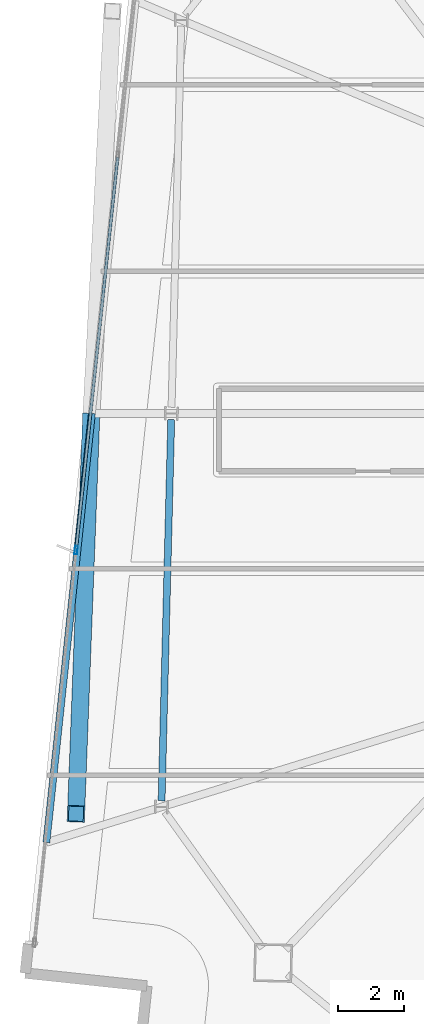
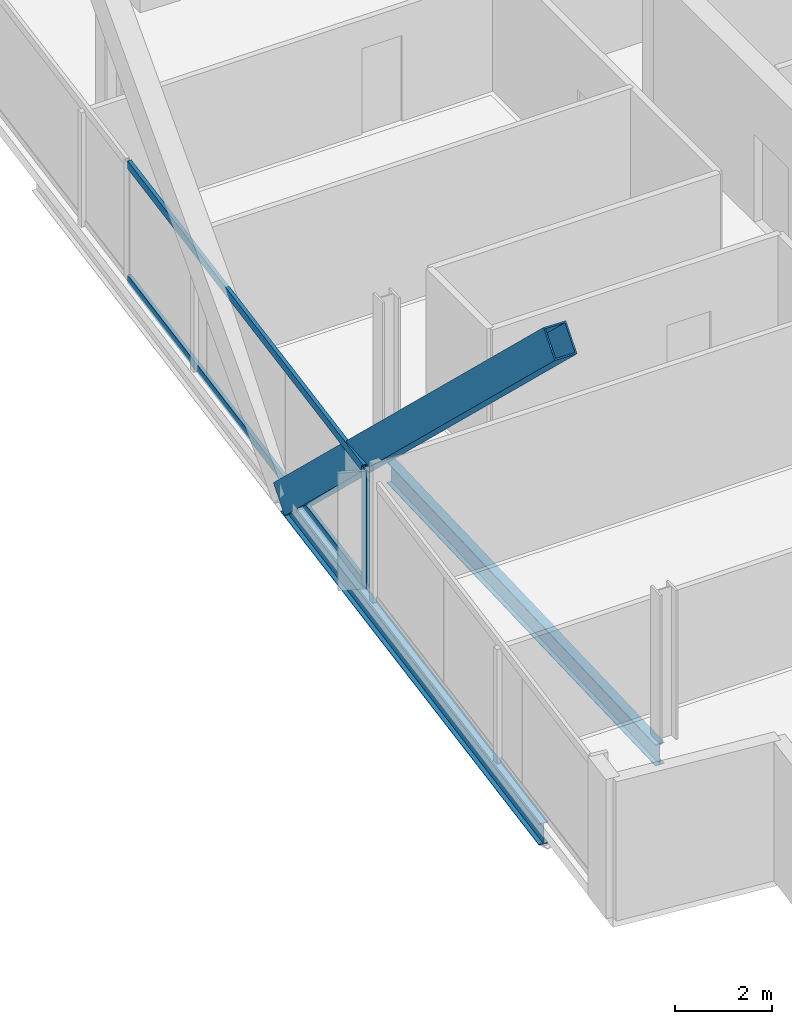
# One storey, part 5 of 24: 4 members, 2 beams, 1 element without a shape of its own.
"""IFC4 building model written with IfcOpenShell, lengths in metres."""

import ifcopenshell
import ifcopenshell.guid

model = None  # the IFC model being written
_history = None  # IfcOwnerHistory: only IFC2X3 demands one
_inside = {}  # id of a spatial element -> (the spatial element, [elements in it])
_under = {}  # id of a project, library or spatial element -> (it, [spatial elements below it])
_declared = {}  # id of a project -> (the project, [libraries it declares])
_typed = {}  # id of a type object -> (the type object, [elements of that type])
_made_of = {}  # id of a material, layer set ... -> (it, [elements and type objects made of it])


def new_model(schema):
    """Start an empty IFC model of exactly this schema.

    Asked for "IFC4X3", IfcOpenShell would pick the latest addendum, in which some entities
    have other attributes; the version numbers below select the first issue.
    IFC2X3 requires an IfcOwnerHistory on every rooted entity: one is made here for all.
    """
    global model, _history
    if schema == "IFC4X3":
        model = ifcopenshell.file(schema_version=(4, 3, 0, 0))
    else:
        model = ifcopenshell.file(schema=schema)
    _inside.clear()
    _under.clear()
    _declared.clear()
    _typed.clear()
    _made_of.clear()
    _history = None
    if model.schema == "IFC2X3":
        org = make("IfcOrganization", Name="unknown")
        user = make(
            "IfcPersonAndOrganization",
            ThePerson=make("IfcPerson", FamilyName="unknown"),
            TheOrganization=org,
        )
        app = make(
            "IfcApplication",
            ApplicationDeveloper=org,
            Version="unknown",
            ApplicationFullName="unknown",
            ApplicationIdentifier="unknown",
        )
        _history = make(
            "IfcOwnerHistory",
            OwningUser=user,
            OwningApplication=app,
            ChangeAction="ADDED",
            CreationDate=0,
        )
    return model


def make(cls, **values):
    """One entity of the class cls with the attributes given. An attribute that is None is left unset."""
    return model.create_entity(
        cls, **{name: value for name, value in values.items() if value is not None}
    )


def rooted(cls, **values):
    """An entity with a GlobalId (a new one), such as an element, a storey or a relation."""
    return make(cls, GlobalId=ifcopenshell.guid.new(), OwnerHistory=_history, **values)


def si_unit(unit_type, name, prefix=None):
    """IfcSIUnit, for example si_unit("LENGTHUNIT", "METRE", prefix="MILLI")."""
    return make("IfcSIUnit", UnitType=unit_type, Prefix=prefix, Name=name)


def assignment(units):
    """IfcUnitAssignment: the units of a project."""
    return None if units is None else make("IfcUnitAssignment", Units=units)


def point(xyz):
    """IfcCartesianPoint."""
    return None if xyz is None else make("IfcCartesianPoint", Coordinates=xyz)


def direction(xyz):
    """IfcDirection."""
    return None if xyz is None else make("IfcDirection", DirectionRatios=xyz)


def frame(location, z_axis=None, x_axis=None):
    """IfcAxis2Placement3D, a coordinate frame: its origin and axes. An axis left out is left unset."""
    return make(
        "IfcAxis2Placement3D",
        Location=point(location),
        Axis=direction(z_axis),
        RefDirection=direction(x_axis),
    )


def frame_2d(location, x_axis=None):
    """IfcAxis2Placement2D, a coordinate frame in the plane: its origin and x axis."""
    return make(
        "IfcAxis2Placement2D", Location=point(location), RefDirection=direction(x_axis)
    )


def origin():
    """The frame at (0, 0, 0) with its axes left unset."""
    return frame((0.0, 0.0, 0.0))


def origin_2d():
    """The frame at (0, 0) in the plane with its x axis left unset."""
    return frame_2d((0.0, 0.0))


def place(relative_to, where):
    """IfcLocalPlacement: puts the frame where relative to a parent placement (None: the world)."""
    return make(
        "IfcLocalPlacement", PlacementRelTo=relative_to, RelativePlacement=where
    )


def context(
    kind, dimensions, precision=None, world=None, true_north=None, identifier=None
):
    """IfcGeometricRepresentationContext, for example the 3D "Model" context."""
    return make(
        "IfcGeometricRepresentationContext",
        ContextIdentifier=identifier,
        ContextType=kind,
        CoordinateSpaceDimension=dimensions,
        Precision=precision,
        WorldCoordinateSystem=world,
        TrueNorth=true_north,
    )


def subcontext(parent, identifier, kind, view, scale=None):
    """IfcGeometricRepresentationSubContext, for example "Body" below "Model"."""
    return make(
        "IfcGeometricRepresentationSubContext",
        ContextIdentifier=identifier,
        ContextType=kind,
        ParentContext=parent,
        TargetScale=scale,
        TargetView=view,
    )


def project(units=None, contexts=None):
    """IfcProject with its units and contexts."""
    return rooted(
        "IfcProject",
        Name="project",
        RepresentationContexts=contexts,
        UnitsInContext=assignment(units),
    )


def spatial(cls, under=None, at=None, **own):
    """A site, building, storey or space (cls), placed at a placement, below another one or the project."""
    s = rooted(cls, ObjectPlacement=at, **own)
    if under is not None:
        _under.setdefault(under.id(), (under, []))[1].append(s)
    return s


def profile(cls, at=None, kind="AREA", **sizes):
    """A parametric profile (cls). Its sizes go by their IFC names, for example OverallWidth=200.0."""
    return make(cls, ProfileType=kind, Position=at, **sizes)


def hollow_rectangle(**sizes):
    """IfcRectangleHollowProfileDef."""
    return profile("IfcRectangleHollowProfileDef", **sizes)


def i_section(**sizes):
    """IfcIShapeProfileDef."""
    return profile("IfcIShapeProfileDef", **sizes)


def extrude(swept, where, along, depth):
    """IfcExtrudedAreaSolid: the profile swept, set in the frame where, extruded along a direction by depth."""
    return make(
        "IfcExtrudedAreaSolid",
        SweptArea=swept,
        Position=where,
        ExtrudedDirection=direction(along),
        Depth=depth,
    )


def shape(context_of_items, identifier, shape_type, items):
    """IfcShapeRepresentation: the items that make up one representation, for example the "Body"."""
    return make(
        "IfcShapeRepresentation",
        ContextOfItems=context_of_items,
        RepresentationIdentifier=identifier,
        RepresentationType=shape_type,
        Items=items,
    )


def material(Name=None, Category=None):
    """IfcMaterial."""
    return make("IfcMaterial", Name=Name, Category=Category)


def material_profile(
    of_material, cross_section, Name=None, Category=None, Priority=None
):
    """IfcMaterialProfile: a cross section and its material."""
    return make(
        "IfcMaterialProfile",
        Name=Name,
        Material=of_material,
        Profile=cross_section,
        Priority=Priority,
        Category=Category,
    )


def profile_set(profiles, Name=None, composite=None):
    """IfcMaterialProfileSet."""
    return make(
        "IfcMaterialProfileSet",
        Name=Name,
        MaterialProfiles=profiles,
        CompositeProfile=composite,
    )


def made_of(thing, what):
    """Note that an element or type object is made of a material, layer set ...; save() writes the relation."""
    if what is not None:
        _made_of.setdefault(what.id(), (what, []))[1].append(thing)
    return thing


def type_object(cls, material=None, **own):
    """A type object (cls), such as IfcWallType, which elements share."""
    return made_of(rooted(cls, **own), material)


def element(
    cls,
    number,
    at=None,
    inside=None,
    cuts=None,
    type_object=None,
    material=None,
    context=None,
    identifier="Body",
    shape_type=None,
    held_by="IfcProductDefinitionShape",
    body=None,
    shapes=None,
    **own,
):
    """One element of the class cls, such as IfcWall. Its Tag is "e" and its number.

    at: its placement. inside: the storey or other place that contains it. cuts: it is an
    opening in that element (IfcRelVoidsElement). A single representation is given by context,
    identifier, shape_type and body (its items); several are given by shapes. held_by: the class
    of the entity that holds the representations. save() writes the other relations.
    """
    e = rooted(cls, Tag="e%d" % number, ObjectPlacement=at, **own)
    if body is not None:
        shapes = [shape(context, identifier, shape_type, body)]
    if shapes is not None:
        e.Representation = make(held_by, Representations=shapes)
    if inside is not None:
        _inside.setdefault(inside.id(), (inside, []))[1].append(e)
    if cuts is not None:
        rooted(
            "IfcRelVoidsElement", RelatingBuildingElement=cuts, RelatedOpeningElement=e
        )
    if type_object is not None:
        _typed.setdefault(type_object.id(), (type_object, []))[1].append(e)
    return made_of(e, material)


def aggregate(whole, parts):
    """IfcRelAggregates: a whole, such as a stair, and the parts it consists of."""
    return rooted("IfcRelAggregates", RelatingObject=whole, RelatedObjects=parts)


def save(model, path):
    """Write the relations noted so far, then the file.

    IfcRelAggregates (storeys below a building ...), IfcRelContainedInSpatialStructure (elements
    in a storey), IfcRelDefinesByType, IfcRelAssociatesMaterial and IfcRelDeclares: one each for
    every whole, place, type object, material and project.
    """
    for whole, parts in _under.values():
        aggregate(whole, parts)
    for where, things in _inside.values():
        rooted(
            "IfcRelContainedInSpatialStructure",
            RelatedElements=things,
            RelatingStructure=where,
        )
    for kind, things in _typed.values():
        rooted("IfcRelDefinesByType", RelatedObjects=things, RelatingType=kind)
    for what, things in _made_of.values():
        rooted("IfcRelAssociatesMaterial", RelatedObjects=things, RelatingMaterial=what)
    for by, libraries in _declared.values():
        rooted("IfcRelDeclares", RelatingContext=by, RelatedDefinitions=libraries)
    model.write(path)


model = new_model("IFC4")

# Units and contexts
model_context = context("Model", 3, precision=1e-05, world=origin(), true_north=direction((0.0, 1.0)))
body_context = subcontext(model_context, "Body", "Model", "MODEL_VIEW")
ifc_project = project(units=[si_unit("LENGTHUNIT", "METRE"), si_unit("AREAUNIT", "SQUARE_METRE"), si_unit("VOLUMEUNIT", "CUBIC_METRE"), si_unit("PLANEANGLEUNIT", "RADIAN"), si_unit("MASSUNIT", "GRAM", prefix="KILO")], contexts=[model_context])

# Site, building, storey
site_placement = place(None, origin())
site = spatial("IfcSite", under=ifc_project, at=site_placement, CompositionType="ELEMENT")
building_placement = place(site_placement, origin())
building = spatial("IfcBuilding", under=site, at=building_placement, Name="Haldenkirk Collegiate Tower", CompositionType="ELEMENT")
storey_placement = place(building_placement, frame((0.0, 0.0, 310.199951171875)))
storey = spatial("IfcBuildingStorey", under=building, at=storey_placement, Name="L78", CompositionType="ELEMENT", Elevation=310.199951171875)

# Beams
ifc_material_1 = material(Name="Steel ASTM A992 Grade 50", Category="steel")
ifc_material_profile_1 = material_profile(ifc_material_1, i_section(OverallWidth=0.2099609375, OverallDepth=0.537109375, WebThickness=0.010986328125, FlangeThickness=0.017333984375, at=origin_2d()), Name="W21X68")
ifc_profile_set_1 = profile_set([ifc_material_profile_1], Name="Steel ASTM A992 Grade 50")
beam_type = type_object("IfcBeamType", Name="BM-SPANDREL-W21X68", PredefinedType="SPANDREL", material=ifc_profile_set_1)
beam_1_placement = place(storey_placement, frame((16.25146484375, 26.31201171875, -0.528564453125), z_axis=(-0.02528078186, -0.999680389959, 0.0), x_axis=(0.999680389959, -0.02528078186, 0.0)))
element("IfcBeam", 1, at=beam_1_placement, inside=storey, type_object=beam_type, Name="L78 perimeter spandrel beam 11", PredefinedType="SPANDREL", context=body_context, shape_type="SweptSolid", body=[
    extrude(i_section(OverallWidth=0.2099609375, OverallDepth=0.537109375, WebThickness=0.010986328125, FlangeThickness=0.017333984375, at=origin_2d()), origin(), (0.0, 0.0, 1.0), 11.540283203125),
])
beam_2_placement = place(storey_placement, frame((13.849365234375, 26.499755859375, -0.528564453125), z_axis=(-0.105407726231, -0.994429088096, 0.0), x_axis=(0.994429088096, -0.105407726231, 0.0)))
element("IfcBeam", 2, at=beam_2_placement, inside=storey, type_object=beam_type, Name="L78 outer facade edge beam 3B", PredefinedType="SPANDREL", context=body_context, shape_type="SweptSolid", body=[
    extrude(i_section(OverallWidth=0.2099609375, OverallDepth=0.537109375, WebThickness=0.010986328125, FlangeThickness=0.017333984375, at=origin_2d()), origin(), (0.0, 0.0, 1.0), 13.060791015625),
])

# Curtain wall, members
ifc_material_2 = material(Name="Anodised architectural bronze aluminium", Category="aluminium")
curtain_wall_type = type_object("IfcCurtainWallType", Name="CW-SYS1B-CONVEX-HI", PredefinedType="USERDEFINED", material=ifc_material_2)
curtain_wall_placement = place(storey_placement, origin())
curtain_wall = element("IfcCurtainWall", 3, at=curtain_wall_placement, inside=storey, type_object=curtain_wall_type, Name="L78 Upper tower high-wind convex bronze unitised curtain wall", ObjectType="UNITISED CURTAIN WALL", PredefinedType="USERDEFINED")
ifc_material_profile_2 = material_profile(ifc_material_2, hollow_rectangle(XDim=0.0849609375, YDim=0.25, WallThickness=0.0048828125, at=origin_2d()), Name="CW-MUL-1B")
ifc_profile_set_2 = profile_set([ifc_material_profile_2], Name="Anodised architectural bronze aluminium")
member_type_1 = type_object("IfcMemberType", Name="CW-MUL-1B", PredefinedType="MULLION", material=ifc_profile_set_2)
member_1_placement = place(storey_placement, frame((13.370849609375, 22.36474609375, 0.0), z_axis=(0.0, 0.0, 1.0), x_axis=(-0.994430496515, 0.105394438184, 0.0)))
member_1 = element("IfcMember", 4, at=member_1_placement, type_object=member_type_1, Name="CW-1B mullion 2", PredefinedType="MULLION", context=body_context, shape_type="SweptSolid", body=[
    extrude(hollow_rectangle(XDim=0.0849609375, YDim=0.25, WallThickness=0.0048828125, at=origin_2d()), origin(), (0.0, 0.0, 1.0), 2.947998046875),
])
ifc_material_profile_3 = material_profile(ifc_material_2, hollow_rectangle(XDim=0.0849609375, YDim=0.199951171875, WallThickness=0.0048828125, at=origin_2d()), Name="CW-TRN-1B")
ifc_profile_set_3 = profile_set([ifc_material_profile_3], Name="Anodised architectural bronze aluminium")
member_type_2 = type_object("IfcMemberType", Name="CW-TRN-1B", PredefinedType="USERDEFINED", material=ifc_profile_set_3)
member_2_placement = place(storey_placement, frame((13.375244140625, 22.406982421875, 0.04248046875), z_axis=(0.105401520905, 0.99442974583, 0.0), x_axis=(-0.99442974583, 0.105401520905, 0.0)))
member_2 = element("IfcMember", 5, at=member_2_placement, type_object=member_type_2, Name="CW-1B transom 2.1", ObjectType="TRANSOM", PredefinedType="USERDEFINED", context=body_context, shape_type="SweptSolid", body=[
    extrude(hollow_rectangle(XDim=0.0849609375, YDim=0.199951171875, WallThickness=0.0048828125, at=origin_2d()), origin(), (0.0, 0.0, 1.0), 11.9150390625),
])
member_3_placement = place(storey_placement, frame((13.375244140625, 22.406982421875, 2.905517578125), z_axis=(0.105401520905, 0.99442974583, 0.0), x_axis=(-0.99442974583, 0.105401520905, 0.0)))
member_3 = element("IfcMember", 6, at=member_3_placement, type_object=member_type_2, Name="CW-1B transom 2.2", ObjectType="TRANSOM", PredefinedType="USERDEFINED", context=body_context, shape_type="SweptSolid", body=[
    extrude(hollow_rectangle(XDim=0.0849609375, YDim=0.199951171875, WallThickness=0.0048828125, at=origin_2d()), origin(), (0.0, 0.0, 1.0), 11.9150390625),
])
aggregate(curtain_wall, [member_1, member_2, member_3])

# Member
ifc_material_3 = material(Name="Steel ASTM A572 Grade 50", Category="steel")
ifc_material_profile_4 = material_profile(ifc_material_3, hollow_rectangle(XDim=0.52001953125, YDim=0.719970703125, WallThickness=0.035888671875, at=origin_2d()), Name="BOX720X520X36")
ifc_profile_set_4 = profile_set([ifc_material_profile_4], Name="Steel ASTM A572 Grade 50")
member_type_3 = type_object("IfcMemberType", Name="MBR-MEGABRACE-BOX720X520X36", PredefinedType="BRACE", material=ifc_profile_set_4)
member_4_placement = place(storey_placement, frame((13.8232421875, 26.254150390625, -0.27001953125), z_axis=(-0.027720920309, -0.725652530177, 0.687502695285), x_axis=(0.999271125353, -0.038173525318, 0.0)))
element("IfcMember", 7, at=member_4_placement, inside=storey, type_object=member_type_3, Name="Perimeter Mega Brace Z6 L78-L80 NR", PredefinedType="BRACE", context=body_context, shape_type="SweptSolid", body=[
    extrude(hollow_rectangle(XDim=0.52001953125, YDim=0.719970703125, WallThickness=0.035888671875, at=origin_2d()), origin(), (0.0, 0.0, 1.0), 16.363525390625),
])

save(model, "model.ifc")
